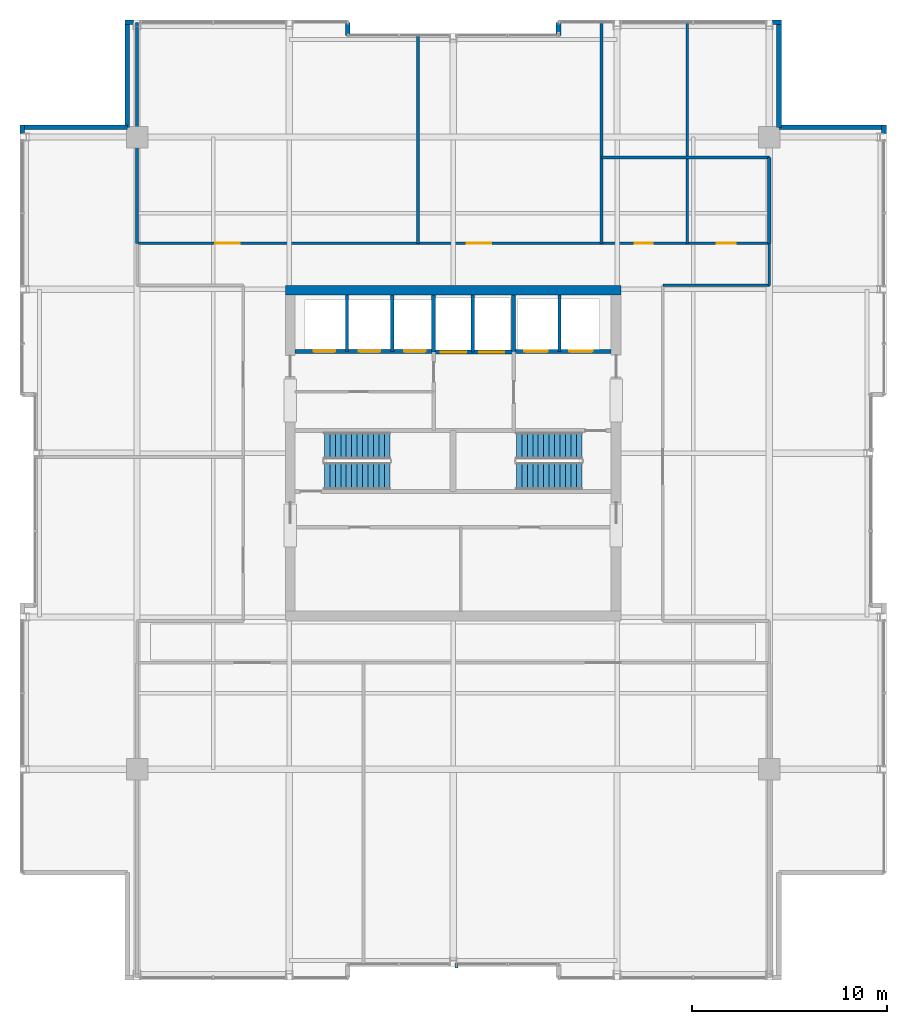
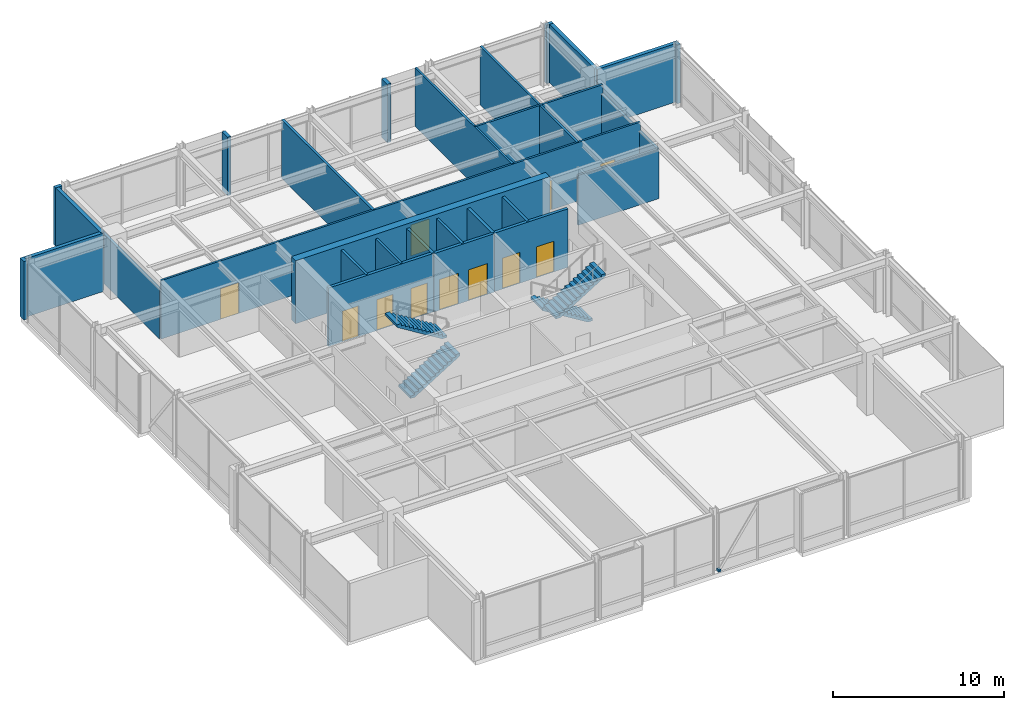
# One storey, part 28 of 32: 29 walls, 11 doors, 4 stair flights, 1 discrete accessory, 11 openings, 2 elements without a shape of their own.
"""IFC4 building model written with IfcOpenShell, lengths in metres."""

from ifc_helpers import new_model, si_unit, direction, frame, frame_2d, origin, origin_2d, place, context, subcontext, project, spatial, polyline, rectangle, outline, extrude, material, layer, layer_set, type_object, element, fill, aggregate, save


model = new_model("IFC4")

# Units and contexts
model_context = context("Model", 3, precision=1e-05, world=origin(), true_north=direction((0.0, 1.0)))
body_context = subcontext(model_context, "Body", "Model", "MODEL_VIEW")
ifc_project = project(units=[si_unit("LENGTHUNIT", "METRE"), si_unit("AREAUNIT", "SQUARE_METRE"), si_unit("VOLUMEUNIT", "CUBIC_METRE"), si_unit("PLANEANGLEUNIT", "RADIAN"), si_unit("MASSUNIT", "GRAM", prefix="KILO")], contexts=[model_context])

# Site, building, storey
site_placement = place(None, origin())
site = spatial("IfcSite", under=ifc_project, at=site_placement, CompositionType="ELEMENT")
building_placement = place(site_placement, origin())
building = spatial("IfcBuilding", under=site, at=building_placement, Name="Drelvath Grand Hotel", CompositionType="ELEMENT")
storey_placement = place(building_placement, frame((0.0, 0.0, 255.5)))
storey = spatial("IfcBuildingStorey", under=building, at=storey_placement, Name="L67", CompositionType="ELEMENT", Elevation=255.5)

# Wall, openings, doors
ifc_material_1 = material(Name="Concrete C40/50", Category="concrete")
ifc_layer_1 = layer(ifc_material_1, 0.199951171875)
ifc_layer_set_1 = layer_set([ifc_layer_1], Name="Concrete C40/50")
wall_type_1 = type_object("IfcWallType", Name="Core Hoistway Fire Wall 200", PredefinedType="SOLIDWALL", material=ifc_layer_set_1)
wall_1_placement = place(storey_placement, frame((3.10009765625, 32.219970703125, 0.0), z_axis=(0.0, 0.0, 1.0), x_axis=(1.0, 0.0, 0.0)))
wall_1 = element("IfcWall", 1, at=wall_1_placement, inside=storey, type_object=wall_type_1, Name="L67 FSAE Hoistway Front Wall", PredefinedType="SOLIDWALL", context=body_context, shape_type="SweptSolid", body=[
    extrude(rectangle(XDim=5.0, YDim=0.199951171875, at=frame_2d((2.5, 0.0))), origin(), (0.0, 0.0, 1.0), 4.179931640625),
])
opening_1_placement = place(wall_1_placement, frame((0.550048828125, 0.0, 0.0)))
opening_1 = element("IfcOpeningElement", 2, at=opening_1_placement, cuts=wall_1, Name="Opening LD-FSAE-1", PredefinedType="OPENING", context=body_context, shape_type="SweptSolid", body=[
    extrude(rectangle(XDim=1.199951171875, YDim=2.199951171875, at=frame_2d((0.60009765625, 1.10009765625))), frame((0.0, 0.10986328125, 0.0), z_axis=(0.0, -1.0, 0.0), x_axis=(1.0, 0.0, 0.0)), (0.0, 0.0, 1.0), 0.219970703125),
])
opening_2_placement = place(wall_1_placement, frame((2.85009765625, 0.0, 0.0)))
opening_2 = element("IfcOpeningElement", 3, at=opening_2_placement, cuts=wall_1, Name="Opening LD-FSAE-2", PredefinedType="OPENING", context=body_context, shape_type="SweptSolid", body=[
    extrude(rectangle(XDim=1.199951171875, YDim=2.199951171875, at=frame_2d((0.60009765625, 1.10009765625))), frame((0.0, 0.10986328125, 0.0), z_axis=(0.0, -1.0, 0.0), x_axis=(1.0, 0.0, 0.0)), (0.0, 0.0, 1.0), 0.219970703125),
])
ifc_material_2 = material(Name="Stainless Steel S355", Category="steel")
door_type_1 = type_object("IfcDoorType", Name="FSAE Lift Sliding Landing Door 1200x2200", OperationType="NOTDEFINED", PredefinedType="DOOR", material=ifc_material_2)
door_1_placement = place(opening_1_placement, origin())
door_1 = element("IfcDoor", 4, at=door_1_placement, inside=storey, type_object=door_type_1, Name="L67 Lift FSAE-1 Landing Door", OperationType="SLIDING_TO_LEFT", OverallHeight=2.199951171875, OverallWidth=1.199951171875, PredefinedType="DOOR", context=body_context, shape_type="SweptSolid", body=[
    extrude(rectangle(XDim=1.199951171875, YDim=2.199951171875, at=frame_2d((0.60009765625, 1.10009765625))), frame((0.0, 0.02490234375, 0.0), z_axis=(0.0, -1.0, 0.0), x_axis=(1.0, 0.0, 0.0)), (0.0, 0.0, 1.0), 0.050048828125),
])
fill(opening_1, door_1)
door_2_placement = place(opening_2_placement, origin())
door_2 = element("IfcDoor", 5, at=door_2_placement, inside=storey, type_object=door_type_1, Name="L67 Lift FSAE-2 Landing Door", OperationType="SLIDING_TO_LEFT", OverallHeight=2.199951171875, OverallWidth=1.199951171875, PredefinedType="DOOR", context=body_context, shape_type="SweptSolid", body=[
    extrude(rectangle(XDim=1.199951171875, YDim=2.199951171875, at=frame_2d((0.60009765625, 1.10009765625))), frame((0.0, 0.02490234375, 0.0), z_axis=(0.0, -1.0, 0.0), x_axis=(1.0, 0.0, 0.0)), (0.0, 0.0, 1.0), 0.050048828125),
])
fill(opening_2, door_2)

# Wall
wall_2_placement = place(storey_placement, frame((3.10009765625, 32.219970703125, 0.0), z_axis=(0.0, 0.0, 1.0), x_axis=(0.0, 1.0, 0.0)))
element("IfcWall", 6, at=wall_2_placement, inside=storey, type_object=wall_type_1, Name="L67 FSAE Hoistway West Wall", PredefinedType="SOLIDWALL", context=body_context, shape_type="SweptSolid", body=[
    extrude(rectangle(XDim=2.880126953125, YDim=0.199951171875, at=frame_2d((1.43994140625, 0.0))), origin(), (0.0, 0.0, 1.0), 4.179931640625),
])

# Wall, openings, doors
wall_3_placement = place(storey_placement, frame((-1.0, 32.179931640625, 0.0), z_axis=(0.0, 0.0, 1.0), x_axis=(1.0, 0.0, 0.0)))
wall_3 = element("IfcWall", 7, at=wall_3_placement, inside=storey, type_object=wall_type_1, Name="L67 Service Lift Hoistway Wall", PredefinedType="SOLIDWALL", context=body_context, shape_type="SweptSolid", body=[
    extrude(rectangle(XDim=4.10009765625, YDim=0.199951171875, at=frame_2d((2.050048828125, 0.0))), origin(), (0.0, 0.0, 1.0), 4.179931640625),
])
opening_3_placement = place(wall_3_placement, frame((0.3701171875, 0.0, 0.0)))
opening_3 = element("IfcOpeningElement", 8, at=opening_3_placement, cuts=wall_3, Name="Opening LD-SV-2", PredefinedType="OPENING", context=body_context, shape_type="SweptSolid", body=[
    extrude(rectangle(XDim=1.300048828125, YDim=2.199951171875, at=frame_2d((0.64990234375, 1.10009765625))), frame((0.0, 0.10986328125, 0.0), z_axis=(0.0, -1.0, 0.0), x_axis=(1.0, 0.0, 0.0)), (0.0, 0.0, 1.0), 0.219970703125),
])
opening_4_placement = place(wall_3_placement, frame((2.330078125, 0.0, 0.0)))
opening_4 = element("IfcOpeningElement", 9, at=opening_4_placement, cuts=wall_3, Name="Opening LD-SV-1", PredefinedType="OPENING", context=body_context, shape_type="SweptSolid", body=[
    extrude(rectangle(XDim=1.300048828125, YDim=2.199951171875, at=frame_2d((0.64990234375, 1.10009765625))), frame((0.0, 0.10986328125, 0.0), z_axis=(0.0, -1.0, 0.0), x_axis=(1.0, 0.0, 0.0)), (0.0, 0.0, 1.0), 0.219970703125),
])
door_type_2 = type_object("IfcDoorType", Name="Service Lift Sliding Landing Door 1300x2200", OperationType="NOTDEFINED", PredefinedType="DOOR", material=ifc_material_2)
door_3_placement = place(opening_3_placement, origin())
door_3 = element("IfcDoor", 10, at=door_3_placement, inside=storey, type_object=door_type_2, Name="L67 Lift SV-2 Landing Door", OperationType="SLIDING_TO_LEFT", OverallHeight=2.199951171875, OverallWidth=1.300048828125, PredefinedType="DOOR", context=body_context, shape_type="SweptSolid", body=[
    extrude(rectangle(XDim=1.300048828125, YDim=2.199951171875, at=frame_2d((0.64990234375, 1.10009765625))), frame((0.0, 0.02490234375, 0.0), z_axis=(0.0, -1.0, 0.0), x_axis=(1.0, 0.0, 0.0)), (0.0, 0.0, 1.0), 0.050048828125),
])
fill(opening_3, door_3)
door_4_placement = place(opening_4_placement, origin())
door_4 = element("IfcDoor", 11, at=door_4_placement, inside=storey, type_object=door_type_2, Name="L67 Lift SV-1 Landing Door", OperationType="SLIDING_TO_LEFT", OverallHeight=2.199951171875, OverallWidth=1.300048828125, PredefinedType="DOOR", context=body_context, shape_type="SweptSolid", body=[
    extrude(rectangle(XDim=1.300048828125, YDim=2.199951171875, at=frame_2d((0.64990234375, 1.10009765625))), frame((0.0, 0.02490234375, 0.0), z_axis=(0.0, -1.0, 0.0), x_axis=(1.0, 0.0, 0.0)), (0.0, 0.0, 1.0), 0.050048828125),
])
fill(opening_4, door_4)

# Wall
wall_4_placement = place(storey_placement, frame((-1.0, 32.179931640625, 0.0), z_axis=(0.0, 0.0, 1.0), x_axis=(0.0, 1.0, 0.0)))
element("IfcWall", 12, at=wall_4_placement, inside=storey, type_object=wall_type_1, Name="L67 Service Lift West Wall", PredefinedType="SOLIDWALL", context=body_context, shape_type="SweptSolid", body=[
    extrude(rectangle(XDim=2.920166015625, YDim=0.199951171875, at=frame_2d((1.4599609375, 0.0))), origin(), (0.0, 0.0, 1.0), 4.179931640625),
])

# Wall, openings, doors
wall_5_placement = place(storey_placement, frame((-8.10009765625, 32.219970703125, 0.0), z_axis=(0.0, 0.0, 1.0), x_axis=(1.0, 0.0, 0.0)))
wall_5 = element("IfcWall", 13, at=wall_5_placement, inside=storey, type_object=wall_type_1, Name="L67 Bank 3 Hoistway Wall", PredefinedType="SOLIDWALL", context=body_context, shape_type="SweptSolid", body=[
    extrude(rectangle(XDim=7.10009765625, YDim=0.199951171875, at=frame_2d((3.550048828125, 0.0))), origin(), (0.0, 0.0, 1.0), 4.179931640625),
])
opening_5_placement = place(wall_5_placement, frame((0.949951171875, 0.0, 0.0)))
opening_5 = element("IfcOpeningElement", 14, at=opening_5_placement, cuts=wall_5, Name="Opening LD-PE-7", PredefinedType="OPENING", context=body_context, shape_type="SweptSolid", body=[
    extrude(rectangle(XDim=1.10009765625, YDim=2.199951171875, at=frame_2d((0.550048828125, 1.10009765625))), frame((0.0, 0.10986328125, 0.0), z_axis=(0.0, -1.0, 0.0), x_axis=(1.0, 0.0, 0.0)), (0.0, 0.0, 1.0), 0.219970703125),
])
opening_6_placement = place(wall_5_placement, frame((3.27001953125, 0.0, 0.0)))
opening_6 = element("IfcOpeningElement", 15, at=opening_6_placement, cuts=wall_5, Name="Opening LD-PE-8", PredefinedType="OPENING", context=body_context, shape_type="SweptSolid", body=[
    extrude(rectangle(XDim=1.10009765625, YDim=2.199951171875, at=frame_2d((0.550048828125, 1.10009765625))), frame((0.0, 0.10986328125, 0.0), z_axis=(0.0, -1.0, 0.0), x_axis=(1.0, 0.0, 0.0)), (0.0, 0.0, 1.0), 0.219970703125),
])
opening_7_placement = place(wall_5_placement, frame((5.590087890625, 0.0, 0.0)))
opening_7 = element("IfcOpeningElement", 16, at=opening_7_placement, cuts=wall_5, Name="Opening LD-PE-9", PredefinedType="OPENING", context=body_context, shape_type="SweptSolid", body=[
    extrude(rectangle(XDim=1.10009765625, YDim=2.199951171875, at=frame_2d((0.550048828125, 1.10009765625))), frame((0.0, 0.10986328125, 0.0), z_axis=(0.0, -1.0, 0.0), x_axis=(1.0, 0.0, 0.0)), (0.0, 0.0, 1.0), 0.219970703125),
])
door_type_3 = type_object("IfcDoorType", Name="Passenger Lift Sliding Landing Door 1100x2200", OperationType="NOTDEFINED", PredefinedType="DOOR", material=ifc_material_2)
door_5_placement = place(opening_5_placement, origin())
door_5 = element("IfcDoor", 17, at=door_5_placement, inside=storey, type_object=door_type_3, Name="L67 Lift PE-7 Landing Door", OperationType="SLIDING_TO_LEFT", OverallHeight=2.199951171875, OverallWidth=1.10009765625, PredefinedType="DOOR", context=body_context, shape_type="SweptSolid", body=[
    extrude(rectangle(XDim=1.10009765625, YDim=2.199951171875, at=frame_2d((0.550048828125, 1.10009765625))), frame((0.0, 0.02490234375, 0.0), z_axis=(0.0, -1.0, 0.0), x_axis=(1.0, 0.0, 0.0)), (0.0, 0.0, 1.0), 0.050048828125),
])
fill(opening_5, door_5)
door_6_placement = place(opening_6_placement, origin())
door_6 = element("IfcDoor", 18, at=door_6_placement, inside=storey, type_object=door_type_3, Name="L67 Lift PE-8 Landing Door", OperationType="SLIDING_TO_LEFT", OverallHeight=2.199951171875, OverallWidth=1.10009765625, PredefinedType="DOOR", context=body_context, shape_type="SweptSolid", body=[
    extrude(rectangle(XDim=1.10009765625, YDim=2.199951171875, at=frame_2d((0.550048828125, 1.10009765625))), frame((0.0, 0.02490234375, 0.0), z_axis=(0.0, -1.0, 0.0), x_axis=(1.0, 0.0, 0.0)), (0.0, 0.0, 1.0), 0.050048828125),
])
fill(opening_6, door_6)
door_7_placement = place(opening_7_placement, origin())
door_7 = element("IfcDoor", 19, at=door_7_placement, inside=storey, type_object=door_type_3, Name="L67 Lift PE-9 Landing Door", OperationType="SLIDING_TO_LEFT", OverallHeight=2.199951171875, OverallWidth=1.10009765625, PredefinedType="DOOR", context=body_context, shape_type="SweptSolid", body=[
    extrude(rectangle(XDim=1.10009765625, YDim=2.199951171875, at=frame_2d((0.550048828125, 1.10009765625))), frame((0.0, 0.02490234375, 0.0), z_axis=(0.0, -1.0, 0.0), x_axis=(1.0, 0.0, 0.0)), (0.0, 0.0, 1.0), 0.050048828125),
])
fill(opening_7, door_7)

# Walls
ifc_material_3 = material(Name="Gypsum Fireboard Partition")
ifc_layer_2 = layer(ifc_material_3, 0.1650390625)
ifc_layer_set_2 = layer_set([ifc_layer_2], Name="Gypsum Fireboard Partition")
wall_type_2 = type_object("IfcWallType", Name="Core Shaft Partition 165", PredefinedType="PARTITIONING", material=ifc_layer_set_2)
wall_6_placement = place(storey_placement, frame((5.449951171875, 32.219970703125, 0.0), z_axis=(0.0, 0.0, 1.0), x_axis=(0.0, 1.0, 0.0)))
element("IfcWall", 20, at=wall_6_placement, inside=storey, type_object=wall_type_2, Name="L67 FSAE Hoistway Divider", PredefinedType="PARTITIONING", context=body_context, shape_type="SweptSolid", body=[
    extrude(rectangle(XDim=2.880126953125, YDim=0.1650390625, at=frame_2d((1.43994140625, 0.0))), origin(), (0.0, 0.0, 1.0), 4.179931640625),
])
wall_7_placement = place(storey_placement, frame((1.0, 32.179931640625, 0.0), z_axis=(0.0, 0.0, 1.0), x_axis=(0.0, 1.0, 0.0)))
element("IfcWall", 21, at=wall_7_placement, inside=storey, type_object=wall_type_2, Name="L67 Service Lift Divider", PredefinedType="PARTITIONING", context=body_context, shape_type="SweptSolid", body=[
    extrude(rectangle(XDim=2.920166015625, YDim=0.1650390625, at=frame_2d((1.4599609375, 0.0))), origin(), (0.0, 0.0, 1.0), 4.179931640625),
])
for number, where, z_axis, x_axis, name in (
    (22, (-5.43994140625, 32.219970703125, 0.0), (0.0, 0.0, 1.0), (0.0, 1.0, 0.0), "L67 Lift PE-7/8 Divider"),
    (23, (-3.1201171875, 32.219970703125, 0.0), (0.0, 0.0, 1.0), (0.0, 1.0, 0.0), "L67 Lift PE-8/9 Divider"),
):
    element("IfcWall", number, at=place(storey_placement, frame(where, z_axis=z_axis, x_axis=x_axis)), inside=storey, type_object=wall_type_2, Name=name, PredefinedType="PARTITIONING", context=body_context, shape_type="SweptSolid", body=[
        extrude(rectangle(XDim=2.880126953125, YDim=0.1650390625, at=frame_2d((1.43994140625, 0.0))), origin(), (0.0, 0.0, 1.0), 4.179931640625),
    ])

# Wall, openings, doors
ifc_layer_3 = layer(ifc_material_3, 0.135009765625)
ifc_layer_set_3 = layer_set([ifc_layer_3], Name="Gypsum Fireboard Partition")
wall_type_3 = type_object("IfcWallType", Name="Corridor Fire Barrier Wall 135", PredefinedType="PARTITIONING", material=ifc_layer_set_3)
wall_8_placement = place(storey_placement, frame((-16.199951171875, 37.75, 0.0), z_axis=(0.0, 0.0, 1.0), x_axis=(1.0, 0.0, 0.0)))
wall_8 = element("IfcWall", 24, at=wall_8_placement, inside=storey, type_object=wall_type_3, Name="L67 Sky North Foyer Wall", PredefinedType="PARTITIONING", context=body_context, shape_type="SweptSolid", body=[
    extrude(rectangle(XDim=32.39990234375, YDim=0.135009765625, at=frame_2d((16.199951171875, 0.0))), origin(), (0.0, 0.0, 1.0), 4.179931640625),
])
opening_8_placement = place(wall_8_placement, frame((4.0, 0.0, 0.0)))
opening_8 = element("IfcOpeningElement", 25, at=opening_8_placement, cuts=wall_8, Name="Opening D-L67-021", PredefinedType="OPENING", context=body_context, shape_type="SweptSolid", body=[
    extrude(rectangle(XDim=1.260009765625, YDim=2.199951171875, at=frame_2d((0.6298828125, 1.10009765625))), frame((0.0, 0.077392578125, 0.0), z_axis=(0.0, -1.0, 0.0), x_axis=(1.0, 0.0, 0.0)), (0.0, 0.0, 1.0), 0.155029296875),
])
opening_9_placement = place(wall_8_placement, frame((16.89990234375, 0.0, 0.0)))
opening_9 = element("IfcOpeningElement", 26, at=opening_9_placement, cuts=wall_8, Name="Opening D-L67-022", PredefinedType="OPENING", context=body_context, shape_type="SweptSolid", body=[
    extrude(rectangle(XDim=1.260009765625, YDim=2.199951171875, at=frame_2d((0.6298828125, 1.10009765625))), frame((0.0, 0.077392578125, 0.0), z_axis=(0.0, -1.0, 0.0), x_axis=(1.0, 0.0, 0.0)), (0.0, 0.0, 1.0), 0.155029296875),
])
opening_10_placement = place(wall_8_placement, frame((25.5, 0.0, 0.0)))
opening_10 = element("IfcOpeningElement", 27, at=opening_10_placement, cuts=wall_8, Name="Opening D-L67-023", PredefinedType="OPENING", context=body_context, shape_type="SweptSolid", body=[
    extrude(rectangle(XDim=0.919921875, YDim=2.10009765625, at=frame_2d((0.4599609375, 1.050048828125))), frame((0.0, 0.077392578125, 0.0), z_axis=(0.0, -1.0, 0.0), x_axis=(1.0, 0.0, 0.0)), (0.0, 0.0, 1.0), 0.155029296875),
])
opening_11_placement = place(wall_8_placement, frame((29.699951171875, 0.0, 0.0)))
opening_11 = element("IfcOpeningElement", 28, at=opening_11_placement, cuts=wall_8, Name="Opening D-L67-024", PredefinedType="OPENING", context=body_context, shape_type="SweptSolid", body=[
    extrude(rectangle(XDim=0.97998046875, YDim=2.10009765625, at=frame_2d((0.489990234375, 1.050048828125))), frame((0.0, 0.077392578125, 0.0), z_axis=(0.0, -1.0, 0.0), x_axis=(1.0, 0.0, 0.0)), (0.0, 0.0, 1.0), 0.155029296875),
])
ifc_material_4 = material(Name="Hardwood Walnut Timber", Category="wood")
door_type_4 = type_object("IfcDoorType", Name="Accessible WC Door 980x2100", OperationType="NOTDEFINED", PredefinedType="DOOR", material=ifc_material_4)
door_8_placement = place(opening_11_placement, origin())
door_8 = element("IfcDoor", 29, at=door_8_placement, inside=storey, type_object=door_type_4, Name="L67 Sky Accessible WC Door", OperationType="SINGLE_SWING_LEFT", OverallHeight=2.10009765625, OverallWidth=0.97998046875, PredefinedType="DOOR", context=body_context, shape_type="SweptSolid", body=[
    extrude(rectangle(XDim=0.97998046875, YDim=2.10009765625, at=frame_2d((0.489990234375, 1.050048828125))), frame((0.0, 0.02490234375, 0.0), z_axis=(0.0, -1.0, 0.0), x_axis=(1.0, 0.0, 0.0)), (0.0, 0.0, 1.0), 0.050048828125),
])
fill(opening_11, door_8)
ifc_material_5 = material(Name="Painted Steel S275", Category="steel")
door_type_5 = type_object("IfcDoorType", Name="Staff Utility Door 920x2100", OperationType="NOTDEFINED", PredefinedType="DOOR", material=ifc_material_5)
door_9_placement = place(opening_10_placement, origin())
door_9 = element("IfcDoor", 30, at=door_9_placement, inside=storey, type_object=door_type_5, Name="L67 Sky Public WC Door", OperationType="SINGLE_SWING_RIGHT", OverallHeight=2.10009765625, OverallWidth=0.919921875, PredefinedType="DOOR", context=body_context, shape_type="SweptSolid", body=[
    extrude(rectangle(XDim=0.919921875, YDim=2.10009765625, at=frame_2d((0.4599609375, 1.050048828125))), frame((0.0, 0.02490234375, 0.0), z_axis=(0.0, -1.0, 0.0), x_axis=(1.0, 0.0, 0.0)), (0.0, 0.0, 1.0), 0.050048828125),
])
fill(opening_10, door_9)
door_type_6 = type_object("IfcDoorType", Name="Suite Entrance Fire Door 1260x2200", OperationType="NOTDEFINED", PredefinedType="DOOR", material=ifc_material_4)
door_10_placement = place(opening_8_placement, origin())
door_10 = element("IfcDoor", 31, at=door_10_placement, inside=storey, type_object=door_type_6, Name="L67 Sommelier Wine Cellar Bar Door", OperationType="SINGLE_SWING_RIGHT", OverallHeight=2.199951171875, OverallWidth=1.260009765625, PredefinedType="DOOR", context=body_context, shape_type="SweptSolid", body=[
    extrude(rectangle(XDim=1.260009765625, YDim=2.199951171875, at=frame_2d((0.6298828125, 1.10009765625))), frame((0.0, 0.02490234375, 0.0), z_axis=(0.0, -1.0, 0.0), x_axis=(1.0, 0.0, 0.0)), (0.0, 0.0, 1.0), 0.050048828125),
])
fill(opening_8, door_10)
door_11_placement = place(opening_9_placement, origin())
door_11 = element("IfcDoor", 32, at=door_11_placement, inside=storey, type_object=door_type_6, Name="L67 Culinary Finishing Kitchen Door", OperationType="SINGLE_SWING_LEFT", OverallHeight=2.199951171875, OverallWidth=1.260009765625, PredefinedType="DOOR", context=body_context, shape_type="SweptSolid", body=[
    extrude(rectangle(XDim=1.260009765625, YDim=2.199951171875, at=frame_2d((0.6298828125, 1.10009765625))), frame((0.0, 0.02490234375, 0.0), z_axis=(0.0, -1.0, 0.0), x_axis=(1.0, 0.0, 0.0)), (0.0, 0.0, 1.0), 0.050048828125),
])
fill(opening_9, door_11)

# Walls
wall_9_placement = place(storey_placement, frame((10.75, 35.60009765625, 0.0), z_axis=(0.0, 0.0, 1.0), x_axis=(1.0, 0.0, 0.0)))
element("IfcWall", 33, at=wall_9_placement, inside=storey, type_object=wall_type_3, Name="L67 Sky NE Spur Inner Wall", PredefinedType="PARTITIONING", context=body_context, shape_type="SweptSolid", body=[
    extrude(rectangle(XDim=5.449951171875, YDim=0.135009765625, at=frame_2d((2.72509765625, 0.0))), origin(), (0.0, 0.0, 1.0), 3.557373046875),
])
wall_10_placement = place(storey_placement, frame((16.199951171875, 35.60009765625, 0.0), z_axis=(0.0, 0.0, 1.0), x_axis=(0.0, 1.0, 0.0)))
element("IfcWall", 34, at=wall_10_placement, inside=storey, type_object=wall_type_3, Name="L67 Sky North Foyer East End", PredefinedType="PARTITIONING", context=body_context, shape_type="SweptSolid", body=[
    extrude(rectangle(XDim=2.14990234375, YDim=0.135009765625, at=frame_2d((1.074951171875, 0.0))), origin(), (0.0, 0.0, 1.0), 3.553955078125),
])
ifc_material_6 = material(Name="Moisture-Resistant Gypsum Board")
ifc_layer_4 = layer(ifc_material_6, 0.139892578125)
ifc_layer_set_4 = layer_set([ifc_layer_4], Name="Moisture-Resistant Gypsum Board")
wall_type_4 = type_object("IfcWallType", Name="En-Suite Plumbing Wall 140", PredefinedType="PLUMBINGWALL", material=ifc_layer_set_4)
for number, where, z_axis, x_axis, name in (
    (35, (7.60009765625, 37.75, 0.0), (0.0, 0.0, 1.0), (0.0, 1.0, 0.0), "L67 Sky WC West Wall"),
    (36, (12.0, 37.75, 0.0), (0.0, 0.0, 1.0), (0.0, 1.0, 0.0), "L67 Sky WC Split Wall"),
):
    element("IfcWall", number, at=place(storey_placement, frame(where, z_axis=z_axis, x_axis=x_axis)), inside=storey, type_object=wall_type_4, Name=name, PredefinedType="PLUMBINGWALL", context=body_context, shape_type="SweptSolid", body=[
        extrude(rectangle(XDim=11.330078125, YDim=0.139892578125, at=frame_2d((5.6650390625, 0.0))), origin(), (0.0, 0.0, 1.0), 4.179931640625),
    ])
wall_11_placement = place(storey_placement, frame((7.60009765625, 42.14990234375, 0.0), z_axis=(0.0, 0.0, 1.0), x_axis=(1.0, 0.0, 0.0)))
element("IfcWall", 37, at=wall_11_placement, inside=storey, type_object=wall_type_4, Name="L67 Sky WC Back Wall", PredefinedType="PLUMBINGWALL", context=body_context, shape_type="SweptSolid", body=[
    extrude(rectangle(XDim=8.599853515625, YDim=0.139892578125, at=frame_2d((4.2998046875, 0.0))), origin(), (0.0, 0.0, 1.0), 4.179931640625),
])
ifc_material_7 = material(Name="Gypsum Acoustic Partition")
ifc_layer_5 = layer(ifc_material_7, 0.1650390625)
ifc_layer_set_5 = layer_set([ifc_layer_5], Name="Gypsum Acoustic Partition")
wall_type_5 = type_object("IfcWallType", Name="Suite Demising Wall 165", PredefinedType="PARTITIONING", material=ifc_layer_set_5)
wall_12_placement = place(storey_placement, frame((-16.199951171875, 37.75, 0.0), z_axis=(0.0, 0.0, 1.0), x_axis=(0.0, 1.0, 0.0)))
element("IfcWall", 38, at=wall_12_placement, inside=storey, type_object=wall_type_5, Name="L67 Sky NW Wall", PredefinedType="PARTITIONING", context=body_context, shape_type="SweptSolid", body=[
    extrude(rectangle(XDim=11.330078125, YDim=0.1650390625, at=frame_2d((5.6650390625, 0.0))), origin(), (0.0, 0.0, 1.0), 3.553955078125),
])
wall_13_placement = place(storey_placement, frame((16.199951171875, 37.75, 0.0), z_axis=(0.0, 0.0, 1.0), x_axis=(0.0, 1.0, 0.0)))
element("IfcWall", 39, at=wall_13_placement, inside=storey, type_object=wall_type_5, Name="L67 Sky NE Wall", PredefinedType="PARTITIONING", context=body_context, shape_type="SweptSolid", body=[
    extrude(rectangle(XDim=4.39990234375, YDim=0.1650390625, at=frame_2d((2.199951171875, 0.0))), origin(), (0.0, 0.0, 1.0), 3.553955078125),
])
wall_14_placement = place(storey_placement, frame((-1.800048828125, 37.75, 0.0), z_axis=(0.0, 0.0, 1.0), x_axis=(0.0, 1.0, 0.0)))
element("IfcWall", 40, at=wall_14_placement, inside=storey, type_object=wall_type_5, Name="L67 Sky North Split", PredefinedType="PARTITIONING", context=body_context, shape_type="SweptSolid", body=[
    extrude(rectangle(XDim=10.64990234375, YDim=0.1650390625, at=frame_2d((5.324951171875, 0.0))), origin(), (0.0, 0.0, 1.0), 4.179931640625),
])
ifc_material_8 = material(Name="Pale-Metal Insulated Aluminium Spandrel Assembly", Category="aluminium")
ifc_layer_6 = layer(ifc_material_8, 0.239990234375)
ifc_layer_set_6 = layer_set([ifc_layer_6], Name="Pale-Metal Insulated Aluminium Spandrel Assembly")
wall_type_6 = type_object("IfcWallType", Name="Tower Insulated Metal Spandrel Closure Wall 240", PredefinedType="STANDARD", material=ifc_layer_set_6)
for number, where, z_axis, x_axis, name in (
    (41, (-22.080078125, 43.378173828125, 0.0), (0.0, 0.0, 1.0), (0.0, 1.0, 0.0), "L67 Corner Pier Spandrel Wall WN3"),
    (42, (22.080078125, 43.820068359375, 0.0), (0.0, 0.0, 1.0), (0.0, -1.0, 0.0), "L67 Corner Pier Spandrel Wall EN3"),
    (43, (-16.820068359375, 49.080078125, 0.0), (0.0, 0.0, 1.0), (1.0, 0.0, 0.0), "L67 Corner Pier Spandrel Wall NW1"),
    (44, (16.378173828125, 49.080078125, 0.0), (0.0, 0.0, 1.0), (1.0, 0.0, 0.0), "L67 Corner Pier Spandrel Wall NE3"),
):
    element("IfcWall", number, at=place(storey_placement, frame(where, z_axis=z_axis, x_axis=x_axis)), inside=storey, type_object=wall_type_6, Name=name, PredefinedType="STANDARD", context=body_context, shape_type="SweptSolid", body=[
        extrude(rectangle(XDim=0.44189453125, YDim=0.239990234375, at=frame_2d((0.220947265625, 0.0))), origin(), (0.0, 0.0, 1.0), 4.179931640625),
    ])
for number, where, z_axis, x_axis, name in (
    (45, (-21.9599609375, 43.699951171875, 0.0), (0.0, 0.0, 1.0), (1.0, 0.0, 0.0), "L67 Notched Corner Return Spandrel Wall CNW1"),
    (46, (-16.699951171875, 43.699951171875, 0.0), (0.0, 0.0, 1.0), (0.0, 1.0, 0.0), "L67 Notched Corner Return Spandrel Wall CNW2"),
    (47, (16.699951171875, 48.9599609375, 0.0), (0.0, 0.0, 1.0), (0.0, -1.0, 0.0), "L67 Notched Corner Return Spandrel Wall CNE1"),
    (48, (16.699951171875, 43.699951171875, 0.0), (0.0, 0.0, 1.0), (1.0, 0.0, 0.0), "L67 Notched Corner Return Spandrel Wall CNE2"),
):
    element("IfcWall", number, at=place(storey_placement, frame(where, z_axis=z_axis, x_axis=x_axis)), inside=storey, type_object=wall_type_6, Name=name, PredefinedType="STANDARD", context=body_context, shape_type="SweptSolid", body=[
        extrude(rectangle(XDim=5.260009765625, YDim=0.239990234375, at=frame_2d((2.6298828125, 0.0))), origin(), (0.0, 0.0, 1.0), 4.179931640625),
    ])
for number, where, z_axis, x_axis, name in (
    (49, (-5.39990234375, 49.080078125, 0.0), (0.0, 0.0, 1.0), (0.0, -1.0, 0.0), "L67 Notched Corner Return Spandrel Wall RN1"),
    (50, (5.39990234375, 48.39990234375, 0.0), (0.0, 0.0, 1.0), (0.0, 1.0, 0.0), "L67 Notched Corner Return Spandrel Wall RN2"),
):
    element("IfcWall", number, at=place(storey_placement, frame(where, z_axis=z_axis, x_axis=x_axis)), inside=storey, type_object=wall_type_6, Name=name, PredefinedType="STANDARD", context=body_context, shape_type="SweptSolid", body=[
        extrude(rectangle(XDim=0.68017578125, YDim=0.239990234375, at=frame_2d((0.340087890625, 0.0))), origin(), (0.0, 0.0, 1.0), 4.179931640625),
    ])
ifc_material_9 = material(Name="Concrete f'c 55 MPa", Category="concrete")
ifc_layer_7 = layer(ifc_material_9, 0.5)
ifc_layer_set_7 = layer_set([ifc_layer_7], Name="Concrete f'c 55 MPa")
wall_type_7 = type_object("IfcWallType", Name="Upper Core RC Shear Wall 500", PredefinedType="SHEAR", material=ifc_layer_set_7)
wall_15_placement = place(storey_placement, frame((-8.60009765625, 35.35009765625, 0.0), z_axis=(0.0, 0.0, 1.0), x_axis=(1.0, 0.0, 0.0)))
element("IfcWall", 51, at=wall_15_placement, inside=storey, type_object=wall_type_7, Name="L67 Central Core Shear Wall N", PredefinedType="SHEAR", context=body_context, shape_type="SweptSolid", body=[
    extrude(rectangle(XDim=17.2001953125, YDim=0.5, at=frame_2d((8.60009765625, 0.0))), origin(), (0.0, 0.0, 1.0), 4.5),
])

# Stair, stair flights
stair_type = type_object("IfcStairType", Name="Dogleg Exit Stair W1400-R173.1", PredefinedType="HALF_TURN_STAIR", material=ifc_material_1)
stair_1_placement = place(storey_placement, origin())
stair_1 = element("IfcStair", 52, at=stair_1_placement, inside=storey, type_object=stair_type, Name="L67 Core Exit Stair ST-1", PredefinedType="HALF_TURN_STAIR")
stair_flight_type = type_object("IfcStairFlightType", Name="Concrete Stair Flight W1400-R173.1", PredefinedType="STRAIGHT", material=ifc_material_1)
stair_flight_1_placement = place(storey_placement, frame((-6.60009765625, 25.820068359375, 0.0), z_axis=(0.0, 0.0, 1.0), x_axis=(1.0, 0.0, 0.0)))
stair_flight_1 = element("IfcStairFlight", 53, at=stair_flight_1_placement, type_object=stair_flight_type, Name="ST-1 flight 1", NumberOfRisers=13, NumberOfTreads=12, PredefinedType="STRAIGHT", RiserHeight=0.173076923, TreadLength=0.28, context=body_context, shape_type="SweptSolid", body=[
    extrude(outline(polyline([(0.0, 0.0), (0.0, 0.173095703125), (0.280029296875, 0.173095703125), (0.280029296875, 0.34619140625), (0.56005859375, 0.34619140625), (0.56005859375, 0.519287109375), (0.840087890625, 0.519287109375), (0.840087890625, 0.6923828125), (1.1201171875, 0.6923828125), (1.1201171875, 0.865478515625), (1.39990234375, 0.865478515625), (1.39990234375, 1.03857421875), (1.679931640625, 1.03857421875), (1.679931640625, 1.21142578125), (1.9599609375, 1.21142578125), (1.9599609375, 1.384521484375), (2.239990234375, 1.384521484375), (2.239990234375, 1.5576171875), (2.52001953125, 1.5576171875), (2.52001953125, 1.730712890625), (2.800048828125, 1.730712890625), (2.800048828125, 1.90380859375), (3.080078125, 1.90380859375), (3.080078125, 2.076904296875), (3.360107421875, 2.076904296875), (3.360107421875, 2.25), (3.360107421875, 1.888916015625), (0.30419921875, 0.0), (0.0, 0.0)])), frame((0.0, 0.699951171875, 0.0), z_axis=(0.0, -1.0, 0.0), x_axis=(1.0, 0.0, 0.0)), (0.0, 0.0, 1.0), 1.39990234375),
])
stair_flight_2_placement = place(storey_placement, frame((-3.239990234375, 27.3798828125, 2.25), z_axis=(0.0, 0.0, 1.0), x_axis=(-1.0, 0.0, 0.0)))
stair_flight_2 = element("IfcStairFlight", 54, at=stair_flight_2_placement, type_object=stair_flight_type, Name="ST-1 flight 2", NumberOfRisers=13, NumberOfTreads=12, PredefinedType="STRAIGHT", RiserHeight=0.173076923, TreadLength=0.28, context=body_context, shape_type="SweptSolid", body=[
    extrude(outline(polyline([(0.0, 0.0), (0.0, 0.173095703125), (0.280029296875, 0.173095703125), (0.280029296875, 0.34619140625), (0.56005859375, 0.34619140625), (0.56005859375, 0.519287109375), (0.840087890625, 0.519287109375), (0.840087890625, 0.6923828125), (1.1201171875, 0.6923828125), (1.1201171875, 0.865478515625), (1.39990234375, 0.865478515625), (1.39990234375, 1.03857421875), (1.679931640625, 1.03857421875), (1.679931640625, 1.21142578125), (1.9599609375, 1.21142578125), (1.9599609375, 1.384521484375), (2.239990234375, 1.384521484375), (2.239990234375, 1.5576171875), (2.52001953125, 1.5576171875), (2.52001953125, 1.730712890625), (2.800048828125, 1.730712890625), (2.800048828125, 1.90380859375), (3.080078125, 1.90380859375), (3.080078125, 2.076904296875), (3.360107421875, 2.076904296875), (3.360107421875, 2.25), (3.360107421875, 1.888916015625), (0.30419921875, 0.0), (0.0, 0.0)])), frame((0.0, 0.699951171875, 0.0), z_axis=(0.0, -1.0, 0.0), x_axis=(1.0, 0.0, 0.0)), (0.0, 0.0, 1.0), 1.39990234375),
])
aggregate(stair_1, [stair_flight_1, stair_flight_2])

stair_2_placement = place(storey_placement, origin())
stair_2 = element("IfcStair", 55, at=stair_2_placement, inside=storey, type_object=stair_type, Name="L67 Core Exit Stair ST-2", PredefinedType="HALF_TURN_STAIR")
stair_flight_3_placement = place(storey_placement, frame((6.60009765625, 27.3798828125, 0.0), z_axis=(0.0, 0.0, 1.0), x_axis=(-1.0, 0.0, 0.0)))
stair_flight_3 = element("IfcStairFlight", 56, at=stair_flight_3_placement, type_object=stair_flight_type, Name="ST-2 flight 1", NumberOfRisers=13, NumberOfTreads=12, PredefinedType="STRAIGHT", RiserHeight=0.173076923, TreadLength=0.28, context=body_context, shape_type="SweptSolid", body=[
    extrude(outline(polyline([(0.0, 0.0), (0.0, 0.173095703125), (0.280029296875, 0.173095703125), (0.280029296875, 0.34619140625), (0.56005859375, 0.34619140625), (0.56005859375, 0.519287109375), (0.840087890625, 0.519287109375), (0.840087890625, 0.6923828125), (1.1201171875, 0.6923828125), (1.1201171875, 0.865478515625), (1.39990234375, 0.865478515625), (1.39990234375, 1.03857421875), (1.679931640625, 1.03857421875), (1.679931640625, 1.21142578125), (1.9599609375, 1.21142578125), (1.9599609375, 1.384521484375), (2.239990234375, 1.384521484375), (2.239990234375, 1.5576171875), (2.52001953125, 1.5576171875), (2.52001953125, 1.730712890625), (2.800048828125, 1.730712890625), (2.800048828125, 1.90380859375), (3.080078125, 1.90380859375), (3.080078125, 2.076904296875), (3.360107421875, 2.076904296875), (3.360107421875, 2.25), (3.360107421875, 1.888916015625), (0.30419921875, 0.0), (0.0, 0.0)])), frame((0.0, 0.699951171875, 0.0), z_axis=(0.0, -1.0, 0.0), x_axis=(1.0, 0.0, 0.0)), (0.0, 0.0, 1.0), 1.39990234375),
])
stair_flight_4_placement = place(storey_placement, frame((3.239990234375, 25.820068359375, 2.25), z_axis=(0.0, 0.0, 1.0), x_axis=(1.0, 0.0, 0.0)))
stair_flight_4 = element("IfcStairFlight", 57, at=stair_flight_4_placement, type_object=stair_flight_type, Name="ST-2 flight 2", NumberOfRisers=13, NumberOfTreads=12, PredefinedType="STRAIGHT", RiserHeight=0.173076923, TreadLength=0.28, context=body_context, shape_type="SweptSolid", body=[
    extrude(outline(polyline([(0.0, 0.0), (0.0, 0.173095703125), (0.280029296875, 0.173095703125), (0.280029296875, 0.34619140625), (0.56005859375, 0.34619140625), (0.56005859375, 0.519287109375), (0.840087890625, 0.519287109375), (0.840087890625, 0.6923828125), (1.1201171875, 0.6923828125), (1.1201171875, 0.865478515625), (1.39990234375, 0.865478515625), (1.39990234375, 1.03857421875), (1.679931640625, 1.03857421875), (1.679931640625, 1.21142578125), (1.9599609375, 1.21142578125), (1.9599609375, 1.384521484375), (2.239990234375, 1.384521484375), (2.239990234375, 1.5576171875), (2.52001953125, 1.5576171875), (2.52001953125, 1.730712890625), (2.800048828125, 1.730712890625), (2.800048828125, 1.90380859375), (3.080078125, 1.90380859375), (3.080078125, 2.076904296875), (3.360107421875, 2.076904296875), (3.360107421875, 2.25), (3.360107421875, 1.888916015625), (0.30419921875, 0.0), (0.0, 0.0)])), frame((0.0, 0.699951171875, 0.0), z_axis=(0.0, -1.0, 0.0), x_axis=(1.0, 0.0, 0.0)), (0.0, 0.0, 1.0), 1.39990234375),
])
aggregate(stair_2, [stair_flight_3, stair_flight_4])

# Discrete accessory
ifc_material_10 = material(Name="Stainless Steel Grade 316", Category="steel")
discrete_accessory_type = type_object("IfcDiscreteAccessoryType", Name="Curtain Wall Fin Mounting Bracket Cleat", PredefinedType="BRACKET", material=ifc_material_10)
discrete_accessory_placement = place(storey_placement, frame((0.17822265625, 0.739990234375, 0.10009765625), z_axis=(0.0, 0.0, 1.0), x_axis=(-1.0, 0.0, 0.0)))
element("IfcDiscreteAccessory", 58, at=discrete_accessory_placement, inside=storey, type_object=discrete_accessory_type, Name="L67 Fin Mounting Bracket CW05-L67-SM2-1", PredefinedType="BRACKET", context=body_context, shape_type="SweptSolid", body=[
    extrude(rectangle(XDim=0.159912109375, YDim=0.239990234375, at=origin_2d()), origin(), (0.0, 0.0, 1.0), 0.159912109375),
])

save(model, "model.ifc")
